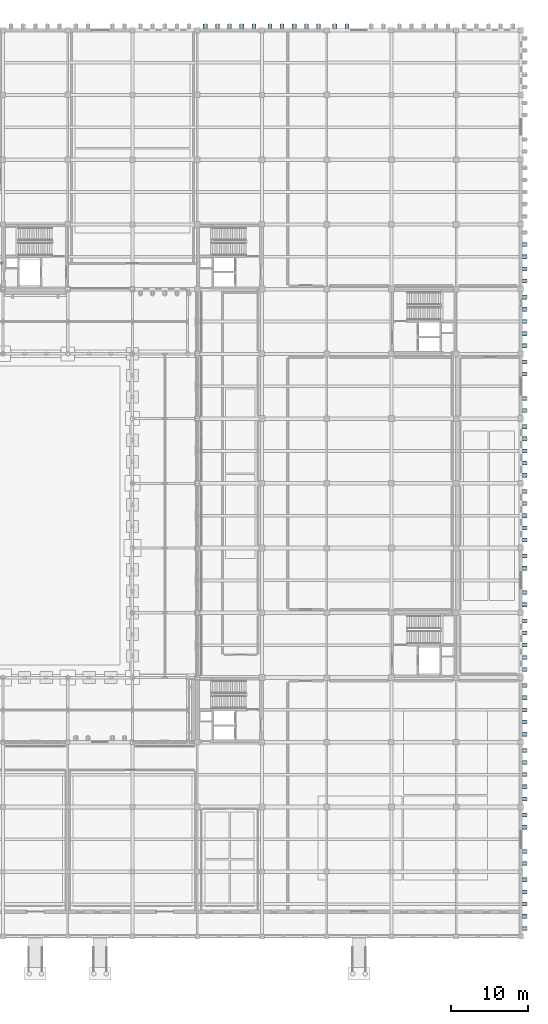
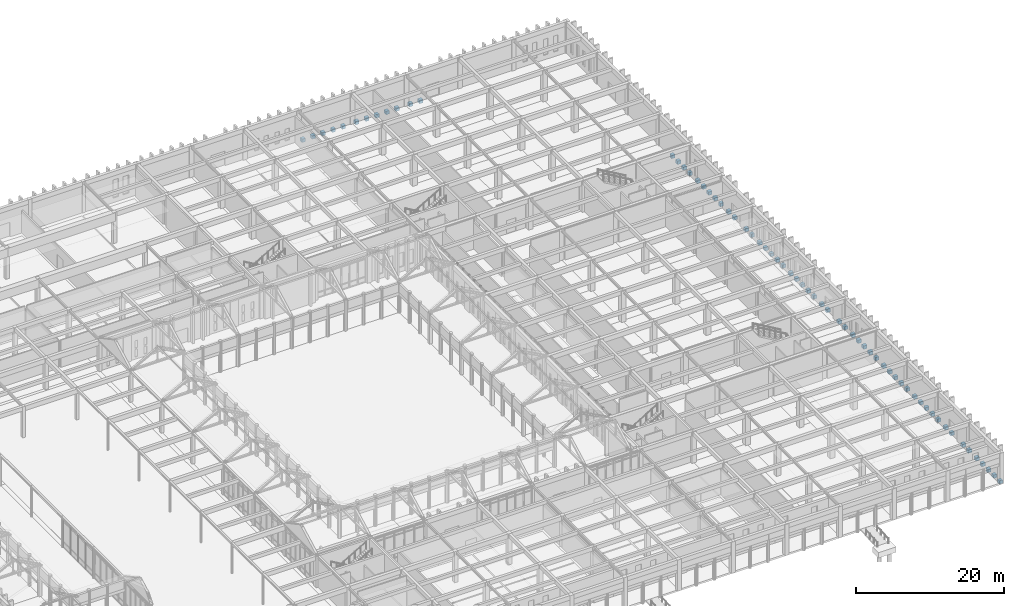
# One storey, part 6 of 143: 63 footings.
"""IFC4 building model written with IfcOpenShell, lengths in metres."""

from ifc_helpers import new_model, si_unit, direction, frame, origin, place, context, subcontext, project, spatial, polyline, outline, extrude, material, type_object, element, save


model = new_model("IFC4")

# Units and contexts
model_context = context("Model", 3, precision=1e-05, world=origin(), true_north=direction((0.0, 1.0)))
body_context = subcontext(model_context, "Body", "Model", "MODEL_VIEW")
ifc_project = project(units=[si_unit("LENGTHUNIT", "METRE"), si_unit("AREAUNIT", "SQUARE_METRE"), si_unit("VOLUMEUNIT", "CUBIC_METRE"), si_unit("PLANEANGLEUNIT", "RADIAN"), si_unit("MASSUNIT", "GRAM", prefix="KILO")], contexts=[model_context])

# Site, building, storey
site_placement = place(None, origin())
site = spatial("IfcSite", under=ifc_project, at=site_placement, CompositionType="ELEMENT")
building_placement = place(site_placement, origin())
building = spatial("IfcBuilding", under=site, at=building_placement, Name="Kveldsbrygga Polytechnic", CompositionType="ELEMENT")
storey_placement = place(building_placement, origin())
storey = spatial("IfcBuildingStorey", under=building, at=storey_placement, Name="L00", CompositionType="ELEMENT", Elevation=0.0)

# Footings
ifc_material = material(Name="Concrete C35/45", Category="concrete")
footing_type = type_object("IfcFootingType", Name="SF-PLINTH-850", PredefinedType="STRIP_FOOTING", material=ifc_material)
footing_1_placement = place(storey_placement, frame((0.0, 0.0, -0.800048828125)))
element("IfcFooting", 1, at=footing_1_placement, inside=storey, type_object=footing_type, Name="Buttress Plinth Footing FND-BUTT-L00-X-15-14-1", PredefinedType="STRIP_FOOTING", context=body_context, shape_type="SweptSolid", body=[
    extrude(outline(polyline([(126.780029296875, 117.844970703125), (127.320068359375, 117.844970703125), (127.320068359375, 118.385009765625), (126.780029296875, 118.385009765625), (126.780029296875, 117.844970703125)])), origin(), (0.0, 0.0, 1.0), 0.550048828125),
])
footing_2_placement = place(storey_placement, frame((0.0, 0.0, -0.800048828125)))
element("IfcFooting", 2, at=footing_2_placement, inside=storey, type_object=footing_type, Name="Buttress Plinth Footing FND-BUTT-L00-X-15-14-2", PredefinedType="STRIP_FOOTING", context=body_context, shape_type="SweptSolid", body=[
    extrude(outline(polyline([(128.35009765625, 117.844970703125), (128.889892578125, 117.844970703125), (128.889892578125, 118.385009765625), (128.35009765625, 118.385009765625), (128.35009765625, 117.844970703125)])), origin(), (0.0, 0.0, 1.0), 0.550048828125),
])
footing_3_placement = place(storey_placement, frame((0.0, 0.0, -0.800048828125)))
element("IfcFooting", 3, at=footing_3_placement, inside=storey, type_object=footing_type, Name="Buttress Plinth Footing FND-BUTT-L00-X-15-14-3", PredefinedType="STRIP_FOOTING", context=body_context, shape_type="SweptSolid", body=[
    extrude(outline(polyline([(129.929931640625, 117.844970703125), (130.469970703125, 117.844970703125), (130.469970703125, 118.385009765625), (129.929931640625, 118.385009765625), (129.929931640625, 117.844970703125)])), origin(), (0.0, 0.0, 1.0), 0.550048828125),
])
footing_4_placement = place(storey_placement, frame((0.0, 0.0, -0.800048828125)))
element("IfcFooting", 4, at=footing_4_placement, inside=storey, type_object=footing_type, Name="Buttress Plinth Footing FND-BUTT-L00-X-15-14-4", PredefinedType="STRIP_FOOTING", context=body_context, shape_type="SweptSolid", body=[
    extrude(outline(polyline([(131.510009765625, 117.844970703125), (132.050048828125, 117.844970703125), (132.050048828125, 118.385009765625), (131.510009765625, 118.385009765625), (131.510009765625, 117.844970703125)])), origin(), (0.0, 0.0, 1.0), 0.550048828125),
])
footing_5_placement = place(storey_placement, frame((0.0, 0.0, -0.800048828125)))
element("IfcFooting", 5, at=footing_5_placement, inside=storey, type_object=footing_type, Name="Buttress Plinth Footing FND-BUTT-L00-X-15-14-5", PredefinedType="STRIP_FOOTING", context=body_context, shape_type="SweptSolid", body=[
    extrude(outline(polyline([(133.080078125, 117.844970703125), (133.6201171875, 117.844970703125), (133.6201171875, 118.385009765625), (133.080078125, 118.385009765625), (133.080078125, 117.844970703125)])), origin(), (0.0, 0.0, 1.0), 0.550048828125),
])
footing_6_placement = place(storey_placement, frame((0.0, 0.0, -0.800048828125)))
element("IfcFooting", 6, at=footing_6_placement, inside=storey, type_object=footing_type, Name="Buttress Plinth Footing FND-BUTT-L00-X-16-14-1", PredefinedType="STRIP_FOOTING", context=body_context, shape_type="SweptSolid", body=[
    extrude(outline(polyline([(135.179931640625, 117.844970703125), (135.719970703125, 117.844970703125), (135.719970703125, 118.385009765625), (135.179931640625, 118.385009765625), (135.179931640625, 117.844970703125)])), origin(), (0.0, 0.0, 1.0), 0.550048828125),
])
footing_7_placement = place(storey_placement, frame((0.0, 0.0, -0.800048828125)))
element("IfcFooting", 7, at=footing_7_placement, inside=storey, type_object=footing_type, Name="Buttress Plinth Footing FND-BUTT-L00-X-16-14-2", PredefinedType="STRIP_FOOTING", context=body_context, shape_type="SweptSolid", body=[
    extrude(outline(polyline([(136.75, 117.844970703125), (137.2900390625, 117.844970703125), (137.2900390625, 118.385009765625), (136.75, 118.385009765625), (136.75, 117.844970703125)])), origin(), (0.0, 0.0, 1.0), 0.550048828125),
])
footing_8_placement = place(storey_placement, frame((0.0, 0.0, -0.800048828125)))
element("IfcFooting", 8, at=footing_8_placement, inside=storey, type_object=footing_type, Name="Buttress Plinth Footing FND-BUTT-L00-X-16-14-3", PredefinedType="STRIP_FOOTING", context=body_context, shape_type="SweptSolid", body=[
    extrude(outline(polyline([(138.330078125, 117.844970703125), (138.8701171875, 117.844970703125), (138.8701171875, 118.385009765625), (138.330078125, 118.385009765625), (138.330078125, 117.844970703125)])), origin(), (0.0, 0.0, 1.0), 0.550048828125),
])
footing_9_placement = place(storey_placement, frame((0.0, 0.0, -0.800048828125)))
element("IfcFooting", 9, at=footing_9_placement, inside=storey, type_object=footing_type, Name="Buttress Plinth Footing FND-BUTT-L00-X-16-14-4", PredefinedType="STRIP_FOOTING", context=body_context, shape_type="SweptSolid", body=[
    extrude(outline(polyline([(139.909912109375, 117.844970703125), (140.449951171875, 117.844970703125), (140.449951171875, 118.385009765625), (139.909912109375, 118.385009765625), (139.909912109375, 117.844970703125)])), origin(), (0.0, 0.0, 1.0), 0.550048828125),
])
footing_10_placement = place(storey_placement, frame((0.0, 0.0, -0.800048828125)))
element("IfcFooting", 10, at=footing_10_placement, inside=storey, type_object=footing_type, Name="Buttress Plinth Footing FND-BUTT-L00-X-16-14-5", PredefinedType="STRIP_FOOTING", context=body_context, shape_type="SweptSolid", body=[
    extrude(outline(polyline([(141.47998046875, 117.844970703125), (142.02001953125, 117.844970703125), (142.02001953125, 118.385009765625), (141.47998046875, 118.385009765625), (141.47998046875, 117.844970703125)])), origin(), (0.0, 0.0, 1.0), 0.550048828125),
])
footing_11_placement = place(storey_placement, frame((0.0, 0.0, -0.800048828125)))
element("IfcFooting", 11, at=footing_11_placement, inside=storey, type_object=footing_type, Name="Buttress Plinth Footing FND-BUTT-L00-X-17-14-1", PredefinedType="STRIP_FOOTING", context=body_context, shape_type="SweptSolid", body=[
    extrude(outline(polyline([(143.580078125, 117.844970703125), (144.1201171875, 117.844970703125), (144.1201171875, 118.385009765625), (143.580078125, 118.385009765625), (143.580078125, 117.844970703125)])), origin(), (0.0, 0.0, 1.0), 0.550048828125),
])
footing_12_placement = place(storey_placement, frame((0.0, 0.0, -0.800048828125)))
element("IfcFooting", 12, at=footing_12_placement, inside=storey, type_object=footing_type, Name="Buttress Plinth Footing FND-BUTT-L00-X-17-14-2", PredefinedType="STRIP_FOOTING", context=body_context, shape_type="SweptSolid", body=[
    extrude(outline(polyline([(145.14990234375, 117.844970703125), (145.68994140625, 117.844970703125), (145.68994140625, 118.385009765625), (145.14990234375, 118.385009765625), (145.14990234375, 117.844970703125)])), origin(), (0.0, 0.0, 1.0), 0.550048828125),
])
footing_13_placement = place(storey_placement, frame((0.0, 0.0, -0.800048828125)))
element("IfcFooting", 13, at=footing_13_placement, inside=storey, type_object=footing_type, Name="Buttress Plinth Footing FND-BUTT-L00-Y-20-00-1", PredefinedType="STRIP_FOOTING", context=body_context, shape_type="SweptSolid", body=[
    extrude(outline(polyline([(168.2451171875, 0.780029296875), (168.784912109375, 0.780029296875), (168.784912109375, 1.320068359375), (168.2451171875, 1.320068359375), (168.2451171875, 0.780029296875)])), origin(), (0.0, 0.0, 1.0), 0.550048828125),
])
footing_14_placement = place(storey_placement, frame((0.0, 0.0, -0.800048828125)))
element("IfcFooting", 14, at=footing_14_placement, inside=storey, type_object=footing_type, Name="Buttress Plinth Footing FND-BUTT-L00-Y-20-00-2", PredefinedType="STRIP_FOOTING", context=body_context, shape_type="SweptSolid", body=[
    extrude(outline(polyline([(168.2451171875, 2.35009765625), (168.784912109375, 2.35009765625), (168.784912109375, 2.889892578125), (168.2451171875, 2.889892578125), (168.2451171875, 2.35009765625)])), origin(), (0.0, 0.0, 1.0), 0.550048828125),
])
footing_15_placement = place(storey_placement, frame((0.0, 0.0, -0.800048828125)))
element("IfcFooting", 15, at=footing_15_placement, inside=storey, type_object=footing_type, Name="Buttress Plinth Footing FND-BUTT-L00-Y-20-00-3", PredefinedType="STRIP_FOOTING", context=body_context, shape_type="SweptSolid", body=[
    extrude(outline(polyline([(168.2451171875, 3.929931640625), (168.784912109375, 3.929931640625), (168.784912109375, 4.469970703125), (168.2451171875, 4.469970703125), (168.2451171875, 3.929931640625)])), origin(), (0.0, 0.0, 1.0), 0.550048828125),
])
footing_16_placement = place(storey_placement, frame((0.0, 0.0, -0.800048828125)))
element("IfcFooting", 16, at=footing_16_placement, inside=storey, type_object=footing_type, Name="Buttress Plinth Footing FND-BUTT-L00-Y-20-00-4", PredefinedType="STRIP_FOOTING", context=body_context, shape_type="SweptSolid", body=[
    extrude(outline(polyline([(168.2451171875, 5.510009765625), (168.784912109375, 5.510009765625), (168.784912109375, 6.050048828125), (168.2451171875, 6.050048828125), (168.2451171875, 5.510009765625)])), origin(), (0.0, 0.0, 1.0), 0.550048828125),
])
footing_17_placement = place(storey_placement, frame((0.0, 0.0, -0.800048828125)))
element("IfcFooting", 17, at=footing_17_placement, inside=storey, type_object=footing_type, Name="Buttress Plinth Footing FND-BUTT-L00-Y-20-00-5", PredefinedType="STRIP_FOOTING", context=body_context, shape_type="SweptSolid", body=[
    extrude(outline(polyline([(168.2451171875, 7.080078125), (168.784912109375, 7.080078125), (168.784912109375, 7.6201171875), (168.2451171875, 7.6201171875), (168.2451171875, 7.080078125)])), origin(), (0.0, 0.0, 1.0), 0.550048828125),
])
footing_18_placement = place(storey_placement, frame((0.0, 0.0, -0.800048828125)))
element("IfcFooting", 18, at=footing_18_placement, inside=storey, type_object=footing_type, Name="Buttress Plinth Footing FND-BUTT-L00-Y-20-01-1", PredefinedType="STRIP_FOOTING", context=body_context, shape_type="SweptSolid", body=[
    extrude(outline(polyline([(168.2451171875, 9.179931640625), (168.784912109375, 9.179931640625), (168.784912109375, 9.719970703125), (168.2451171875, 9.719970703125), (168.2451171875, 9.179931640625)])), origin(), (0.0, 0.0, 1.0), 0.550048828125),
])
footing_19_placement = place(storey_placement, frame((0.0, 0.0, -0.800048828125)))
element("IfcFooting", 19, at=footing_19_placement, inside=storey, type_object=footing_type, Name="Buttress Plinth Footing FND-BUTT-L00-Y-20-01-2", PredefinedType="STRIP_FOOTING", context=body_context, shape_type="SweptSolid", body=[
    extrude(outline(polyline([(168.2451171875, 10.75), (168.784912109375, 10.75), (168.784912109375, 11.2900390625), (168.2451171875, 11.2900390625), (168.2451171875, 10.75)])), origin(), (0.0, 0.0, 1.0), 0.550048828125),
])
footing_20_placement = place(storey_placement, frame((0.0, 0.0, -0.800048828125)))
element("IfcFooting", 20, at=footing_20_placement, inside=storey, type_object=footing_type, Name="Buttress Plinth Footing FND-BUTT-L00-Y-20-01-4", PredefinedType="STRIP_FOOTING", context=body_context, shape_type="SweptSolid", body=[
    extrude(outline(polyline([(168.2451171875, 13.909912109375), (168.784912109375, 13.909912109375), (168.784912109375, 14.449951171875), (168.2451171875, 14.449951171875), (168.2451171875, 13.909912109375)])), origin(), (0.0, 0.0, 1.0), 0.550048828125),
])
footing_21_placement = place(storey_placement, frame((0.0, 0.0, -0.800048828125)))
element("IfcFooting", 21, at=footing_21_placement, inside=storey, type_object=footing_type, Name="Buttress Plinth Footing FND-BUTT-L00-Y-20-01-5", PredefinedType="STRIP_FOOTING", context=body_context, shape_type="SweptSolid", body=[
    extrude(outline(polyline([(168.2451171875, 15.47998046875), (168.784912109375, 15.47998046875), (168.784912109375, 16.02001953125), (168.2451171875, 16.02001953125), (168.2451171875, 15.47998046875)])), origin(), (0.0, 0.0, 1.0), 0.550048828125),
])
footing_22_placement = place(storey_placement, frame((0.0, 0.0, -0.800048828125)))
element("IfcFooting", 22, at=footing_22_placement, inside=storey, type_object=footing_type, Name="Buttress Plinth Footing FND-BUTT-L00-Y-20-02-1", PredefinedType="STRIP_FOOTING", context=body_context, shape_type="SweptSolid", body=[
    extrude(outline(polyline([(168.2451171875, 17.580078125), (168.784912109375, 17.580078125), (168.784912109375, 18.1201171875), (168.2451171875, 18.1201171875), (168.2451171875, 17.580078125)])), origin(), (0.0, 0.0, 1.0), 0.550048828125),
])
footing_23_placement = place(storey_placement, frame((0.0, 0.0, -0.800048828125)))
element("IfcFooting", 23, at=footing_23_placement, inside=storey, type_object=footing_type, Name="Buttress Plinth Footing FND-BUTT-L00-Y-20-02-2", PredefinedType="STRIP_FOOTING", context=body_context, shape_type="SweptSolid", body=[
    extrude(outline(polyline([(168.2451171875, 19.14990234375), (168.784912109375, 19.14990234375), (168.784912109375, 19.68994140625), (168.2451171875, 19.68994140625), (168.2451171875, 19.14990234375)])), origin(), (0.0, 0.0, 1.0), 0.550048828125),
])
footing_24_placement = place(storey_placement, frame((0.0, 0.0, -0.800048828125)))
element("IfcFooting", 24, at=footing_24_placement, inside=storey, type_object=footing_type, Name="Buttress Plinth Footing FND-BUTT-L00-Y-20-02-3", PredefinedType="STRIP_FOOTING", context=body_context, shape_type="SweptSolid", body=[
    extrude(outline(polyline([(168.2451171875, 20.72998046875), (168.784912109375, 20.72998046875), (168.784912109375, 21.27001953125), (168.2451171875, 21.27001953125), (168.2451171875, 20.72998046875)])), origin(), (0.0, 0.0, 1.0), 0.550048828125),
])
footing_25_placement = place(storey_placement, frame((0.0, 0.0, -0.800048828125)))
element("IfcFooting", 25, at=footing_25_placement, inside=storey, type_object=footing_type, Name="Buttress Plinth Footing FND-BUTT-L00-Y-20-02-4", PredefinedType="STRIP_FOOTING", context=body_context, shape_type="SweptSolid", body=[
    extrude(outline(polyline([(168.2451171875, 22.31005859375), (168.784912109375, 22.31005859375), (168.784912109375, 22.85009765625), (168.2451171875, 22.85009765625), (168.2451171875, 22.31005859375)])), origin(), (0.0, 0.0, 1.0), 0.550048828125),
])
footing_26_placement = place(storey_placement, frame((0.0, 0.0, -0.800048828125)))
element("IfcFooting", 26, at=footing_26_placement, inside=storey, type_object=footing_type, Name="Buttress Plinth Footing FND-BUTT-L00-Y-20-02-5", PredefinedType="STRIP_FOOTING", context=body_context, shape_type="SweptSolid", body=[
    extrude(outline(polyline([(168.2451171875, 23.8798828125), (168.784912109375, 23.8798828125), (168.784912109375, 24.419921875), (168.2451171875, 24.419921875), (168.2451171875, 23.8798828125)])), origin(), (0.0, 0.0, 1.0), 0.550048828125),
])
footing_27_placement = place(storey_placement, frame((0.0, 0.0, -0.800048828125)))
element("IfcFooting", 27, at=footing_27_placement, inside=storey, type_object=footing_type, Name="Buttress Plinth Footing FND-BUTT-L00-Y-20-03-1", PredefinedType="STRIP_FOOTING", context=body_context, shape_type="SweptSolid", body=[
    extrude(outline(polyline([(168.2451171875, 25.97998046875), (168.784912109375, 25.97998046875), (168.784912109375, 26.52001953125), (168.2451171875, 26.52001953125), (168.2451171875, 25.97998046875)])), origin(), (0.0, 0.0, 1.0), 0.550048828125),
])
footing_28_placement = place(storey_placement, frame((0.0, 0.0, -0.800048828125)))
element("IfcFooting", 28, at=footing_28_placement, inside=storey, type_object=footing_type, Name="Buttress Plinth Footing FND-BUTT-L00-Y-20-03-2", PredefinedType="STRIP_FOOTING", context=body_context, shape_type="SweptSolid", body=[
    extrude(outline(polyline([(168.2451171875, 27.550048828125), (168.784912109375, 27.550048828125), (168.784912109375, 28.090087890625), (168.2451171875, 28.090087890625), (168.2451171875, 27.550048828125)])), origin(), (0.0, 0.0, 1.0), 0.550048828125),
])
footing_29_placement = place(storey_placement, frame((0.0, 0.0, -0.800048828125)))
element("IfcFooting", 29, at=footing_29_placement, inside=storey, type_object=footing_type, Name="Buttress Plinth Footing FND-BUTT-L00-Y-20-03-3", PredefinedType="STRIP_FOOTING", context=body_context, shape_type="SweptSolid", body=[
    extrude(outline(polyline([(168.2451171875, 29.1298828125), (168.784912109375, 29.1298828125), (168.784912109375, 29.669921875), (168.2451171875, 29.669921875), (168.2451171875, 29.1298828125)])), origin(), (0.0, 0.0, 1.0), 0.550048828125),
])
footing_30_placement = place(storey_placement, frame((0.0, 0.0, -0.800048828125)))
element("IfcFooting", 30, at=footing_30_placement, inside=storey, type_object=footing_type, Name="Buttress Plinth Footing FND-BUTT-L00-Y-20-03-4", PredefinedType="STRIP_FOOTING", context=body_context, shape_type="SweptSolid", body=[
    extrude(outline(polyline([(168.2451171875, 30.7099609375), (168.784912109375, 30.7099609375), (168.784912109375, 31.25), (168.2451171875, 31.25), (168.2451171875, 30.7099609375)])), origin(), (0.0, 0.0, 1.0), 0.550048828125),
])
footing_31_placement = place(storey_placement, frame((0.0, 0.0, -0.800048828125)))
element("IfcFooting", 31, at=footing_31_placement, inside=storey, type_object=footing_type, Name="Buttress Plinth Footing FND-BUTT-L00-Y-20-03-5", PredefinedType="STRIP_FOOTING", context=body_context, shape_type="SweptSolid", body=[
    extrude(outline(polyline([(168.2451171875, 32.280029296875), (168.784912109375, 32.280029296875), (168.784912109375, 32.820068359375), (168.2451171875, 32.820068359375), (168.2451171875, 32.280029296875)])), origin(), (0.0, 0.0, 1.0), 0.550048828125),
])
footing_32_placement = place(storey_placement, frame((0.0, 0.0, -0.800048828125)))
element("IfcFooting", 32, at=footing_32_placement, inside=storey, type_object=footing_type, Name="Buttress Plinth Footing FND-BUTT-L00-Y-20-04-1", PredefinedType="STRIP_FOOTING", context=body_context, shape_type="SweptSolid", body=[
    extrude(outline(polyline([(168.2451171875, 34.3798828125), (168.784912109375, 34.3798828125), (168.784912109375, 34.919921875), (168.2451171875, 34.919921875), (168.2451171875, 34.3798828125)])), origin(), (0.0, 0.0, 1.0), 0.550048828125),
])
footing_33_placement = place(storey_placement, frame((0.0, 0.0, -0.800048828125)))
element("IfcFooting", 33, at=footing_33_placement, inside=storey, type_object=footing_type, Name="Buttress Plinth Footing FND-BUTT-L00-Y-20-04-2", PredefinedType="STRIP_FOOTING", context=body_context, shape_type="SweptSolid", body=[
    extrude(outline(polyline([(168.2451171875, 35.949951171875), (168.784912109375, 35.949951171875), (168.784912109375, 36.489990234375), (168.2451171875, 36.489990234375), (168.2451171875, 35.949951171875)])), origin(), (0.0, 0.0, 1.0), 0.550048828125),
])
footing_34_placement = place(storey_placement, frame((0.0, 0.0, -0.800048828125)))
element("IfcFooting", 34, at=footing_34_placement, inside=storey, type_object=footing_type, Name="Buttress Plinth Footing FND-BUTT-L00-Y-20-04-3", PredefinedType="STRIP_FOOTING", context=body_context, shape_type="SweptSolid", body=[
    extrude(outline(polyline([(168.2451171875, 37.530029296875), (168.784912109375, 37.530029296875), (168.784912109375, 38.070068359375), (168.2451171875, 38.070068359375), (168.2451171875, 37.530029296875)])), origin(), (0.0, 0.0, 1.0), 0.550048828125),
])
footing_35_placement = place(storey_placement, frame((0.0, 0.0, -0.800048828125)))
element("IfcFooting", 35, at=footing_35_placement, inside=storey, type_object=footing_type, Name="Buttress Plinth Footing FND-BUTT-L00-Y-20-04-4", PredefinedType="STRIP_FOOTING", context=body_context, shape_type="SweptSolid", body=[
    extrude(outline(polyline([(168.2451171875, 39.110107421875), (168.784912109375, 39.110107421875), (168.784912109375, 39.64990234375), (168.2451171875, 39.64990234375), (168.2451171875, 39.110107421875)])), origin(), (0.0, 0.0, 1.0), 0.550048828125),
])
footing_36_placement = place(storey_placement, frame((0.0, 0.0, -0.800048828125)))
element("IfcFooting", 36, at=footing_36_placement, inside=storey, type_object=footing_type, Name="Buttress Plinth Footing FND-BUTT-L00-Y-20-04-5", PredefinedType="STRIP_FOOTING", context=body_context, shape_type="SweptSolid", body=[
    extrude(outline(polyline([(168.2451171875, 40.679931640625), (168.784912109375, 40.679931640625), (168.784912109375, 41.219970703125), (168.2451171875, 41.219970703125), (168.2451171875, 40.679931640625)])), origin(), (0.0, 0.0, 1.0), 0.550048828125),
])
footing_37_placement = place(storey_placement, frame((0.0, 0.0, -0.800048828125)))
element("IfcFooting", 37, at=footing_37_placement, inside=storey, type_object=footing_type, Name="Buttress Plinth Footing FND-BUTT-L00-Y-20-05-1", PredefinedType="STRIP_FOOTING", context=body_context, shape_type="SweptSolid", body=[
    extrude(outline(polyline([(168.2451171875, 42.780029296875), (168.784912109375, 42.780029296875), (168.784912109375, 43.320068359375), (168.2451171875, 43.320068359375), (168.2451171875, 42.780029296875)])), origin(), (0.0, 0.0, 1.0), 0.550048828125),
])
footing_38_placement = place(storey_placement, frame((0.0, 0.0, -0.800048828125)))
element("IfcFooting", 38, at=footing_38_placement, inside=storey, type_object=footing_type, Name="Buttress Plinth Footing FND-BUTT-L00-Y-20-05-2", PredefinedType="STRIP_FOOTING", context=body_context, shape_type="SweptSolid", body=[
    extrude(outline(polyline([(168.2451171875, 44.35009765625), (168.784912109375, 44.35009765625), (168.784912109375, 44.889892578125), (168.2451171875, 44.889892578125), (168.2451171875, 44.35009765625)])), origin(), (0.0, 0.0, 1.0), 0.550048828125),
])
footing_39_placement = place(storey_placement, frame((0.0, 0.0, -0.800048828125)))
element("IfcFooting", 39, at=footing_39_placement, inside=storey, type_object=footing_type, Name="Buttress Plinth Footing FND-BUTT-L00-Y-20-05-4", PredefinedType="STRIP_FOOTING", context=body_context, shape_type="SweptSolid", body=[
    extrude(outline(polyline([(168.2451171875, 47.510009765625), (168.784912109375, 47.510009765625), (168.784912109375, 48.050048828125), (168.2451171875, 48.050048828125), (168.2451171875, 47.510009765625)])), origin(), (0.0, 0.0, 1.0), 0.550048828125),
])
footing_40_placement = place(storey_placement, frame((0.0, 0.0, -0.800048828125)))
element("IfcFooting", 40, at=footing_40_placement, inside=storey, type_object=footing_type, Name="Buttress Plinth Footing FND-BUTT-L00-Y-20-05-5", PredefinedType="STRIP_FOOTING", context=body_context, shape_type="SweptSolid", body=[
    extrude(outline(polyline([(168.2451171875, 49.080078125), (168.784912109375, 49.080078125), (168.784912109375, 49.6201171875), (168.2451171875, 49.6201171875), (168.2451171875, 49.080078125)])), origin(), (0.0, 0.0, 1.0), 0.550048828125),
])
footing_41_placement = place(storey_placement, frame((0.0, 0.0, -0.800048828125)))
element("IfcFooting", 41, at=footing_41_placement, inside=storey, type_object=footing_type, Name="Buttress Plinth Footing FND-BUTT-L00-Y-20-06-1", PredefinedType="STRIP_FOOTING", context=body_context, shape_type="SweptSolid", body=[
    extrude(outline(polyline([(168.2451171875, 51.179931640625), (168.784912109375, 51.179931640625), (168.784912109375, 51.719970703125), (168.2451171875, 51.719970703125), (168.2451171875, 51.179931640625)])), origin(), (0.0, 0.0, 1.0), 0.550048828125),
])
footing_42_placement = place(storey_placement, frame((0.0, 0.0, -0.800048828125)))
element("IfcFooting", 42, at=footing_42_placement, inside=storey, type_object=footing_type, Name="Buttress Plinth Footing FND-BUTT-L00-Y-20-06-2", PredefinedType="STRIP_FOOTING", context=body_context, shape_type="SweptSolid", body=[
    extrude(outline(polyline([(168.2451171875, 52.75), (168.784912109375, 52.75), (168.784912109375, 53.2900390625), (168.2451171875, 53.2900390625), (168.2451171875, 52.75)])), origin(), (0.0, 0.0, 1.0), 0.550048828125),
])
footing_43_placement = place(storey_placement, frame((0.0, 0.0, -0.800048828125)))
element("IfcFooting", 43, at=footing_43_placement, inside=storey, type_object=footing_type, Name="Buttress Plinth Footing FND-BUTT-L00-Y-20-06-3", PredefinedType="STRIP_FOOTING", context=body_context, shape_type="SweptSolid", body=[
    extrude(outline(polyline([(168.2451171875, 54.330078125), (168.784912109375, 54.330078125), (168.784912109375, 54.8701171875), (168.2451171875, 54.8701171875), (168.2451171875, 54.330078125)])), origin(), (0.0, 0.0, 1.0), 0.550048828125),
])
footing_44_placement = place(storey_placement, frame((0.0, 0.0, -0.800048828125)))
element("IfcFooting", 44, at=footing_44_placement, inside=storey, type_object=footing_type, Name="Buttress Plinth Footing FND-BUTT-L00-Y-20-06-4", PredefinedType="STRIP_FOOTING", context=body_context, shape_type="SweptSolid", body=[
    extrude(outline(polyline([(168.2451171875, 55.909912109375), (168.784912109375, 55.909912109375), (168.784912109375, 56.449951171875), (168.2451171875, 56.449951171875), (168.2451171875, 55.909912109375)])), origin(), (0.0, 0.0, 1.0), 0.550048828125),
])
footing_45_placement = place(storey_placement, frame((0.0, 0.0, -0.800048828125)))
element("IfcFooting", 45, at=footing_45_placement, inside=storey, type_object=footing_type, Name="Buttress Plinth Footing FND-BUTT-L00-Y-20-06-5", PredefinedType="STRIP_FOOTING", context=body_context, shape_type="SweptSolid", body=[
    extrude(outline(polyline([(168.2451171875, 57.47998046875), (168.784912109375, 57.47998046875), (168.784912109375, 58.02001953125), (168.2451171875, 58.02001953125), (168.2451171875, 57.47998046875)])), origin(), (0.0, 0.0, 1.0), 0.550048828125),
])
footing_46_placement = place(storey_placement, frame((0.0, 0.0, -0.800048828125)))
element("IfcFooting", 46, at=footing_46_placement, inside=storey, type_object=footing_type, Name="Buttress Plinth Footing FND-BUTT-L00-Y-20-07-1", PredefinedType="STRIP_FOOTING", context=body_context, shape_type="SweptSolid", body=[
    extrude(outline(polyline([(168.2451171875, 59.580078125), (168.784912109375, 59.580078125), (168.784912109375, 60.1201171875), (168.2451171875, 60.1201171875), (168.2451171875, 59.580078125)])), origin(), (0.0, 0.0, 1.0), 0.550048828125),
])
footing_47_placement = place(storey_placement, frame((0.0, 0.0, -0.800048828125)))
element("IfcFooting", 47, at=footing_47_placement, inside=storey, type_object=footing_type, Name="Buttress Plinth Footing FND-BUTT-L00-Y-20-07-2", PredefinedType="STRIP_FOOTING", context=body_context, shape_type="SweptSolid", body=[
    extrude(outline(polyline([(168.2451171875, 61.14990234375), (168.784912109375, 61.14990234375), (168.784912109375, 61.68994140625), (168.2451171875, 61.68994140625), (168.2451171875, 61.14990234375)])), origin(), (0.0, 0.0, 1.0), 0.550048828125),
])
footing_48_placement = place(storey_placement, frame((0.0, 0.0, -0.800048828125)))
element("IfcFooting", 48, at=footing_48_placement, inside=storey, type_object=footing_type, Name="Buttress Plinth Footing FND-BUTT-L00-Y-20-07-3", PredefinedType="STRIP_FOOTING", context=body_context, shape_type="SweptSolid", body=[
    extrude(outline(polyline([(168.2451171875, 62.72998046875), (168.784912109375, 62.72998046875), (168.784912109375, 63.27001953125), (168.2451171875, 63.27001953125), (168.2451171875, 62.72998046875)])), origin(), (0.0, 0.0, 1.0), 0.550048828125),
])
footing_49_placement = place(storey_placement, frame((0.0, 0.0, -0.800048828125)))
element("IfcFooting", 49, at=footing_49_placement, inside=storey, type_object=footing_type, Name="Buttress Plinth Footing FND-BUTT-L00-Y-20-07-4", PredefinedType="STRIP_FOOTING", context=body_context, shape_type="SweptSolid", body=[
    extrude(outline(polyline([(168.2451171875, 64.31005859375), (168.784912109375, 64.31005859375), (168.784912109375, 64.85009765625), (168.2451171875, 64.85009765625), (168.2451171875, 64.31005859375)])), origin(), (0.0, 0.0, 1.0), 0.550048828125),
])
footing_50_placement = place(storey_placement, frame((0.0, 0.0, -0.800048828125)))
element("IfcFooting", 50, at=footing_50_placement, inside=storey, type_object=footing_type, Name="Buttress Plinth Footing FND-BUTT-L00-Y-20-07-5", PredefinedType="STRIP_FOOTING", context=body_context, shape_type="SweptSolid", body=[
    extrude(outline(polyline([(168.2451171875, 65.8798828125), (168.784912109375, 65.8798828125), (168.784912109375, 66.419921875), (168.2451171875, 66.419921875), (168.2451171875, 65.8798828125)])), origin(), (0.0, 0.0, 1.0), 0.550048828125),
])
footing_51_placement = place(storey_placement, frame((0.0, 0.0, -0.800048828125)))
element("IfcFooting", 51, at=footing_51_placement, inside=storey, type_object=footing_type, Name="Buttress Plinth Footing FND-BUTT-L00-Y-20-08-1", PredefinedType="STRIP_FOOTING", context=body_context, shape_type="SweptSolid", body=[
    extrude(outline(polyline([(168.2451171875, 67.97998046875), (168.784912109375, 67.97998046875), (168.784912109375, 68.52001953125), (168.2451171875, 68.52001953125), (168.2451171875, 67.97998046875)])), origin(), (0.0, 0.0, 1.0), 0.550048828125),
])
footing_52_placement = place(storey_placement, frame((0.0, 0.0, -0.800048828125)))
element("IfcFooting", 52, at=footing_52_placement, inside=storey, type_object=footing_type, Name="Buttress Plinth Footing FND-BUTT-L00-Y-20-08-2", PredefinedType="STRIP_FOOTING", context=body_context, shape_type="SweptSolid", body=[
    extrude(outline(polyline([(168.2451171875, 69.550048828125), (168.784912109375, 69.550048828125), (168.784912109375, 70.090087890625), (168.2451171875, 70.090087890625), (168.2451171875, 69.550048828125)])), origin(), (0.0, 0.0, 1.0), 0.550048828125),
])
footing_53_placement = place(storey_placement, frame((0.0, 0.0, -0.800048828125)))
element("IfcFooting", 53, at=footing_53_placement, inside=storey, type_object=footing_type, Name="Buttress Plinth Footing FND-BUTT-L00-Y-20-08-4", PredefinedType="STRIP_FOOTING", context=body_context, shape_type="SweptSolid", body=[
    extrude(outline(polyline([(168.2451171875, 72.7099609375), (168.784912109375, 72.7099609375), (168.784912109375, 73.25), (168.2451171875, 73.25), (168.2451171875, 72.7099609375)])), origin(), (0.0, 0.0, 1.0), 0.550048828125),
])
footing_54_placement = place(storey_placement, frame((0.0, 0.0, -0.800048828125)))
element("IfcFooting", 54, at=footing_54_placement, inside=storey, type_object=footing_type, Name="Buttress Plinth Footing FND-BUTT-L00-Y-20-08-5", PredefinedType="STRIP_FOOTING", context=body_context, shape_type="SweptSolid", body=[
    extrude(outline(polyline([(168.2451171875, 74.280029296875), (168.784912109375, 74.280029296875), (168.784912109375, 74.820068359375), (168.2451171875, 74.820068359375), (168.2451171875, 74.280029296875)])), origin(), (0.0, 0.0, 1.0), 0.550048828125),
])
footing_55_placement = place(storey_placement, frame((0.0, 0.0, -0.800048828125)))
element("IfcFooting", 55, at=footing_55_placement, inside=storey, type_object=footing_type, Name="Buttress Plinth Footing FND-BUTT-L00-Y-20-09-1", PredefinedType="STRIP_FOOTING", context=body_context, shape_type="SweptSolid", body=[
    extrude(outline(polyline([(168.2451171875, 76.3798828125), (168.784912109375, 76.3798828125), (168.784912109375, 76.919921875), (168.2451171875, 76.919921875), (168.2451171875, 76.3798828125)])), origin(), (0.0, 0.0, 1.0), 0.550048828125),
])
footing_56_placement = place(storey_placement, frame((0.0, 0.0, -0.800048828125)))
element("IfcFooting", 56, at=footing_56_placement, inside=storey, type_object=footing_type, Name="Buttress Plinth Footing FND-BUTT-L00-Y-20-09-2", PredefinedType="STRIP_FOOTING", context=body_context, shape_type="SweptSolid", body=[
    extrude(outline(polyline([(168.2451171875, 77.949951171875), (168.784912109375, 77.949951171875), (168.784912109375, 78.489990234375), (168.2451171875, 78.489990234375), (168.2451171875, 77.949951171875)])), origin(), (0.0, 0.0, 1.0), 0.550048828125),
])
footing_57_placement = place(storey_placement, frame((0.0, 0.0, -0.800048828125)))
element("IfcFooting", 57, at=footing_57_placement, inside=storey, type_object=footing_type, Name="Buttress Plinth Footing FND-BUTT-L00-Y-20-09-3", PredefinedType="STRIP_FOOTING", context=body_context, shape_type="SweptSolid", body=[
    extrude(outline(polyline([(168.2451171875, 79.530029296875), (168.784912109375, 79.530029296875), (168.784912109375, 80.070068359375), (168.2451171875, 80.070068359375), (168.2451171875, 79.530029296875)])), origin(), (0.0, 0.0, 1.0), 0.550048828125),
])
footing_58_placement = place(storey_placement, frame((0.0, 0.0, -0.800048828125)))
element("IfcFooting", 58, at=footing_58_placement, inside=storey, type_object=footing_type, Name="Buttress Plinth Footing FND-BUTT-L00-Y-20-09-4", PredefinedType="STRIP_FOOTING", context=body_context, shape_type="SweptSolid", body=[
    extrude(outline(polyline([(168.2451171875, 81.110107421875), (168.784912109375, 81.110107421875), (168.784912109375, 81.64990234375), (168.2451171875, 81.64990234375), (168.2451171875, 81.110107421875)])), origin(), (0.0, 0.0, 1.0), 0.550048828125),
])
footing_59_placement = place(storey_placement, frame((0.0, 0.0, -0.800048828125)))
element("IfcFooting", 59, at=footing_59_placement, inside=storey, type_object=footing_type, Name="Buttress Plinth Footing FND-BUTT-L00-Y-20-09-5", PredefinedType="STRIP_FOOTING", context=body_context, shape_type="SweptSolid", body=[
    extrude(outline(polyline([(168.2451171875, 82.679931640625), (168.784912109375, 82.679931640625), (168.784912109375, 83.219970703125), (168.2451171875, 83.219970703125), (168.2451171875, 82.679931640625)])), origin(), (0.0, 0.0, 1.0), 0.550048828125),
])
footing_60_placement = place(storey_placement, frame((0.0, 0.0, -0.800048828125)))
element("IfcFooting", 60, at=footing_60_placement, inside=storey, type_object=footing_type, Name="Buttress Plinth Footing FND-BUTT-L00-Y-20-10-1", PredefinedType="STRIP_FOOTING", context=body_context, shape_type="SweptSolid", body=[
    extrude(outline(polyline([(168.2451171875, 84.780029296875), (168.784912109375, 84.780029296875), (168.784912109375, 85.320068359375), (168.2451171875, 85.320068359375), (168.2451171875, 84.780029296875)])), origin(), (0.0, 0.0, 1.0), 0.550048828125),
])
footing_61_placement = place(storey_placement, frame((0.0, 0.0, -0.800048828125)))
element("IfcFooting", 61, at=footing_61_placement, inside=storey, type_object=footing_type, Name="Buttress Plinth Footing FND-BUTT-L00-Y-20-10-2", PredefinedType="STRIP_FOOTING", context=body_context, shape_type="SweptSolid", body=[
    extrude(outline(polyline([(168.2451171875, 86.35009765625), (168.784912109375, 86.35009765625), (168.784912109375, 86.889892578125), (168.2451171875, 86.889892578125), (168.2451171875, 86.35009765625)])), origin(), (0.0, 0.0, 1.0), 0.550048828125),
])
footing_62_placement = place(storey_placement, frame((0.0, 0.0, -0.800048828125)))
element("IfcFooting", 62, at=footing_62_placement, inside=storey, type_object=footing_type, Name="Buttress Plinth Footing FND-BUTT-L00-Y-20-10-3", PredefinedType="STRIP_FOOTING", context=body_context, shape_type="SweptSolid", body=[
    extrude(outline(polyline([(168.2451171875, 87.929931640625), (168.784912109375, 87.929931640625), (168.784912109375, 88.469970703125), (168.2451171875, 88.469970703125), (168.2451171875, 87.929931640625)])), origin(), (0.0, 0.0, 1.0), 0.550048828125),
])
footing_63_placement = place(storey_placement, frame((0.0, 0.0, -0.800048828125)))
element("IfcFooting", 63, at=footing_63_placement, inside=storey, type_object=footing_type, Name="Buttress Plinth Footing FND-BUTT-L00-Y-20-10-4", PredefinedType="STRIP_FOOTING", context=body_context, shape_type="SweptSolid", body=[
    extrude(outline(polyline([(168.2451171875, 89.510009765625), (168.784912109375, 89.510009765625), (168.784912109375, 90.050048828125), (168.2451171875, 90.050048828125), (168.2451171875, 89.510009765625)])), origin(), (0.0, 0.0, 1.0), 0.550048828125),
])

save(model, "model.ifc")
